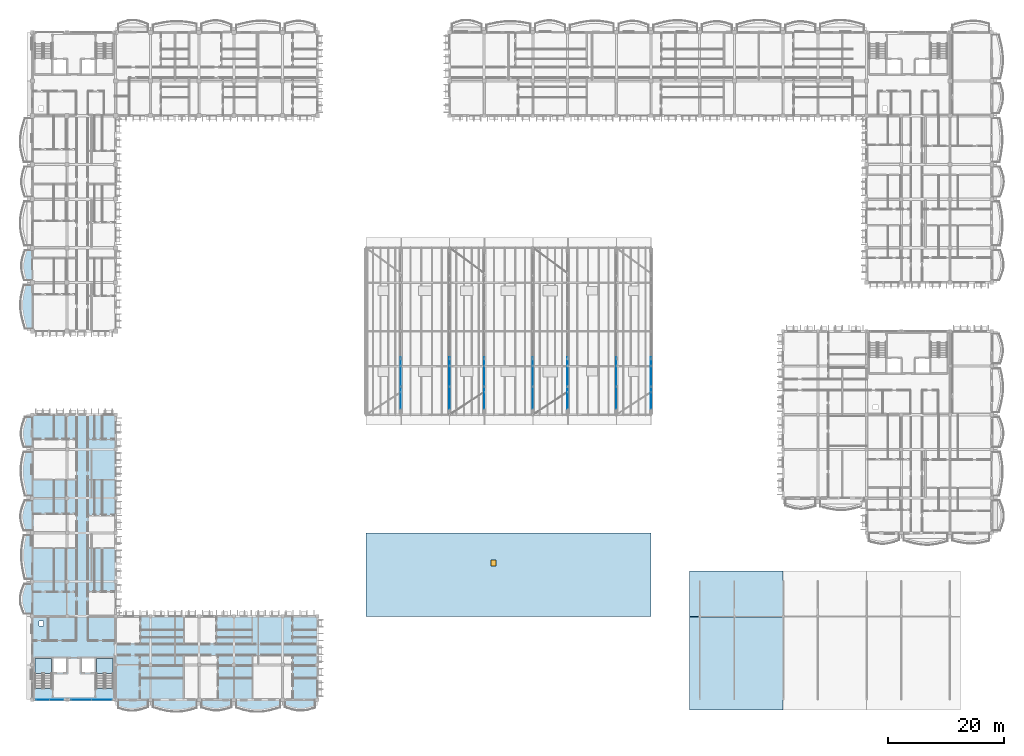
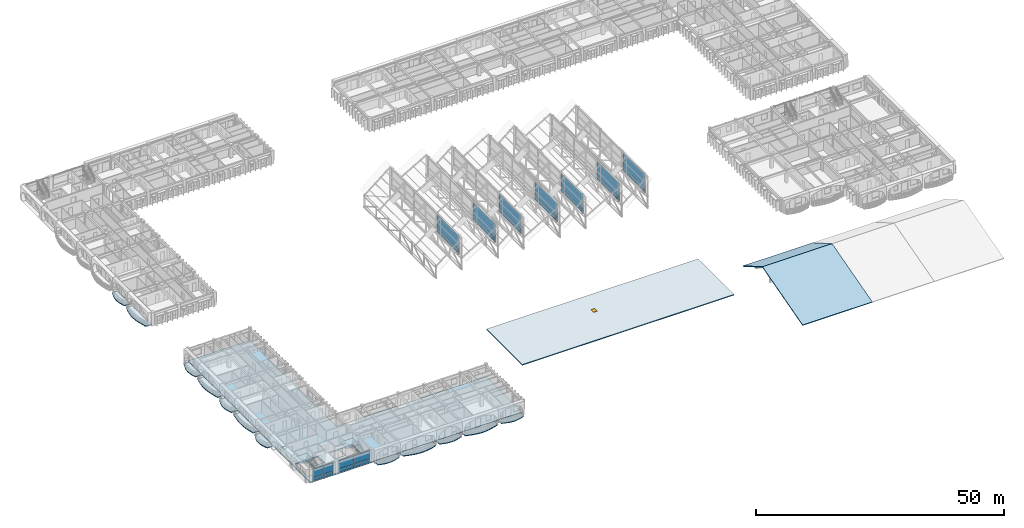
# One storey, part 32 of 101: 22 plates, 18 slabs, 1 door, 1 opening, 11 elements without a shape of their own.
"""IFC4 building model written with IfcOpenShell, lengths in metres."""

from ifc_helpers import new_model, si_unit, direction, frame, origin, origin_2d, place, context, subcontext, project, spatial, polyline, rectangle, outline, extrude, material, layer, layer_set, type_object, element, fill, aggregate, save


model = new_model("IFC4")

# Units and contexts
model_context = context("Model", 3, precision=1e-05, world=origin(), true_north=direction((0.0, 1.0)))
body_context = subcontext(model_context, "Body", "Model", "MODEL_VIEW")
ifc_project = project(units=[si_unit("LENGTHUNIT", "METRE"), si_unit("AREAUNIT", "SQUARE_METRE"), si_unit("VOLUMEUNIT", "CUBIC_METRE"), si_unit("PLANEANGLEUNIT", "RADIAN"), si_unit("MASSUNIT", "GRAM", prefix="KILO"), si_unit("THERMODYNAMICTEMPERATUREUNIT", "KELVIN")], contexts=[model_context])

# Site, building, storey
site_placement = place(None, origin())
site = spatial("IfcSite", under=ifc_project, at=site_placement, CompositionType="ELEMENT")
building_placement = place(site_placement, origin())
building = spatial("IfcBuilding", under=site, at=building_placement, Name="Thalorik Housing Commons", CompositionType="ELEMENT")
storey_placement = place(building_placement, frame((0.0, 0.0, 8.10009765625)))
storey = spatial("IfcBuildingStorey", under=building, at=storey_placement, Name="L02", CompositionType="ELEMENT", Elevation=8.10009765625)

# Curtain wall, plates
ifc_material_1 = material(Name="Anodised aluminium and solar-control low-E glass", Category="aluminium")
curtain_wall_type_1 = type_object("IfcCurtainWallType", Name="ARC-CW-CORE", PredefinedType="USERDEFINED", material=ifc_material_1)
curtain_wall_1_placement = place(storey_placement, origin())
curtain_wall_1 = element("IfcCurtainWall", 1, at=curtain_wall_1_placement, inside=storey, type_object=curtain_wall_type_1, Name="L02 Curtain Wall CW-CORE-L02-C-136", ObjectType="CURTAIN WALL", PredefinedType="USERDEFINED")
ifc_material_2 = material(Name="Cobalt blue enamelled aluminium spandrel panel", Category="aluminium")
ifc_layer_1 = layer(ifc_material_2, 0.0458984375, Name="Cobalt blue enamelled aluminium spandrel panel", Category="aluminium")
ifc_layer_set_1 = layer_set([ifc_layer_1], Name="Cobalt blue enamelled aluminium spandrel panel")
plate_type_1 = type_object("IfcPlateType", Name="ARC-CP-BLU-46", PredefinedType="CURTAIN_PANEL", material=ifc_layer_set_1)
plate_1_placement = place(storey_placement, frame((16.824951171875, 8.39990234375, 0.080078125), z_axis=(0.0, 0.0, 1.0), x_axis=(1.0, 0.0, 0.0)))
plate_1 = element("IfcPlate", 2, at=plate_1_placement, type_object=plate_type_1, Name="CW-CORE-L02-C-136 Spandrel Panel 1", PredefinedType="CURTAIN_PANEL", context=body_context, shape_type="SweptSolid", body=[
    extrude(rectangle(XDim=3.489990234375, YDim=0.0458984375, at=origin_2d()), origin(), (0.0, 0.0, 1.0), 0.760009765625),
])
plate_2_placement = place(storey_placement, frame((20.375, 8.39990234375, 0.080078125), z_axis=(0.0, 0.0, 1.0), x_axis=(1.0, 0.0, 0.0)))
plate_2 = element("IfcPlate", 3, at=plate_2_placement, type_object=plate_type_1, Name="CW-CORE-L02-C-136 Spandrel Panel 2", PredefinedType="CURTAIN_PANEL", context=body_context, shape_type="SweptSolid", body=[
    extrude(rectangle(XDim=3.489990234375, YDim=0.0458984375, at=origin_2d()), origin(), (0.0, 0.0, 1.0), 0.760009765625),
])

# Curtain wall, plate
curtain_wall_type_2 = type_object("IfcCurtainWallType", Name="ARC-CW-CLER", PredefinedType="USERDEFINED", material=ifc_material_1)
curtain_wall_2_placement = place(storey_placement, origin())
curtain_wall_2 = element("IfcCurtainWall", 4, at=curtain_wall_2_placement, inside=storey, type_object=curtain_wall_type_2, Name="L02 Curtain Wall CW-SAW-CLER-01", ObjectType="CURTAIN WALL", PredefinedType="USERDEFINED")
plate_3_placement = place(storey_placement, frame((72.0, 63.066650390625, 3.3798828125), z_axis=(0.0, 0.0, 1.0), x_axis=(0.0, 1.0, 0.0)))
plate_3 = element("IfcPlate", 5, at=plate_3_placement, type_object=plate_type_1, Name="CW-SAW-CLER-01 Spandrel Panel 1", PredefinedType="CURTAIN_PANEL", context=body_context, shape_type="SweptSolid", body=[
    extrude(rectangle(XDim=8.873291015625, YDim=0.0458984375, at=origin_2d()), origin(), (0.0, 0.0, 1.0), 0.760009765625),
])

curtain_wall_3_placement = place(storey_placement, origin())
curtain_wall_3 = element("IfcCurtainWall", 6, at=curtain_wall_3_placement, inside=storey, type_object=curtain_wall_type_2, Name="L02 Curtain Wall CW-SAW-CLER-04", ObjectType="CURTAIN WALL", PredefinedType="USERDEFINED")
plate_4_placement = place(storey_placement, frame((94.800048828125, 63.066650390625, 3.3798828125), z_axis=(0.0, 0.0, 1.0), x_axis=(0.0, 1.0, 0.0)))
plate_4 = element("IfcPlate", 7, at=plate_4_placement, type_object=plate_type_1, Name="CW-SAW-CLER-04 Spandrel Panel 1", PredefinedType="CURTAIN_PANEL", context=body_context, shape_type="SweptSolid", body=[
    extrude(rectangle(XDim=8.873291015625, YDim=0.0458984375, at=origin_2d()), origin(), (0.0, 0.0, 1.0), 0.760009765625),
])

curtain_wall_4_placement = place(storey_placement, origin())
curtain_wall_4 = element("IfcCurtainWall", 8, at=curtain_wall_4_placement, inside=storey, type_object=curtain_wall_type_2, Name="L02 Curtain Wall CW-SAW-CLER-07", ObjectType="CURTAIN WALL", PredefinedType="USERDEFINED")
plate_5_placement = place(storey_placement, frame((115.199951171875, 63.066650390625, 3.3798828125), z_axis=(0.0, 0.0, 1.0), x_axis=(0.0, 1.0, 0.0)))
plate_5 = element("IfcPlate", 9, at=plate_5_placement, type_object=plate_type_1, Name="CW-SAW-CLER-07 Spandrel Panel 1", PredefinedType="CURTAIN_PANEL", context=body_context, shape_type="SweptSolid", body=[
    extrude(rectangle(XDim=8.873291015625, YDim=0.0458984375, at=origin_2d()), origin(), (0.0, 0.0, 1.0), 0.760009765625),
])

# Curtain wall, plates
curtain_wall_5_placement = place(storey_placement, origin())
curtain_wall_5 = element("IfcCurtainWall", 10, at=curtain_wall_5_placement, inside=storey, type_object=curtain_wall_type_1, Name="L02 Curtain Wall CW-CORE-L02-C-135", ObjectType="CURTAIN WALL", PredefinedType="USERDEFINED")
ifc_material_3 = material(Name="Double solar-control low-E glass", Category="glass")
ifc_layer_2 = layer(ifc_material_3, 0.028076171875, Name="Double solar-control low-E glass", Category="glass")
ifc_layer_set_2 = layer_set([ifc_layer_2], Name="Double solar-control low-E glass")
plate_type_2 = type_object("IfcPlateType", Name="ARC-CP-GLZ-28", PredefinedType="CURTAIN_PANEL", material=ifc_layer_set_2)
plate_6_placement = place(storey_placement, frame((10.22509765625, 8.39990234375, 0.919921875), z_axis=(0.0, 0.0, 1.0), x_axis=(1.0, 0.0, 0.0)))
plate_6 = element("IfcPlate", 11, at=plate_6_placement, type_object=plate_type_2, Name="CW-CORE-L02-C-135 Vision Panel 1", PredefinedType="CURTAIN_PANEL", context=body_context, shape_type="SweptSolid", body=[
    extrude(rectangle(XDim=2.2900390625, YDim=0.028076171875, at=origin_2d()), origin(), (0.0, 0.0, 1.0), 2.0400390625),
])
plate_7_placement = place(storey_placement, frame((12.574951171875, 8.39990234375, 0.919921875), z_axis=(0.0, 0.0, 1.0), x_axis=(1.0, 0.0, 0.0)))
plate_7 = element("IfcPlate", 12, at=plate_7_placement, type_object=plate_type_2, Name="CW-CORE-L02-C-135 Vision Panel 2", PredefinedType="CURTAIN_PANEL", context=body_context, shape_type="SweptSolid", body=[
    extrude(rectangle(XDim=2.2900390625, YDim=0.028076171875, at=origin_2d()), origin(), (0.0, 0.0, 1.0), 2.0400390625),
])

# Plate
plate_8_placement = place(storey_placement, frame((16.824951171875, 8.39990234375, 0.919921875), z_axis=(0.0, 0.0, 1.0), x_axis=(1.0, 0.0, 0.0)))
plate_8 = element("IfcPlate", 13, at=plate_8_placement, type_object=plate_type_2, Name="CW-CORE-L02-C-136 Vision Panel 1", PredefinedType="CURTAIN_PANEL", context=body_context, shape_type="SweptSolid", body=[
    extrude(rectangle(XDim=3.489990234375, YDim=0.028076171875, at=origin_2d()), origin(), (0.0, 0.0, 1.0), 2.0400390625),
])

plate_9_placement = place(storey_placement, frame((20.375, 8.39990234375, 0.919921875), z_axis=(0.0, 0.0, 1.0), x_axis=(1.0, 0.0, 0.0)))
plate_9 = element("IfcPlate", 14, at=plate_9_placement, type_object=plate_type_2, Name="CW-CORE-L02-C-136 Vision Panel 2", PredefinedType="CURTAIN_PANEL", context=body_context, shape_type="SweptSolid", body=[
    extrude(rectangle(XDim=3.489990234375, YDim=0.028076171875, at=origin_2d()), origin(), (0.0, 0.0, 1.0), 2.0400390625),
])

aggregate(curtain_wall_1, [plate_1, plate_8, plate_2, plate_9])

plate_10_placement = place(storey_placement, frame((72.0, 63.066650390625, 4.219970703125), z_axis=(0.0, 0.0, 1.0), x_axis=(0.0, 1.0, 0.0)))
plate_10 = element("IfcPlate", 15, at=plate_10_placement, type_object=plate_type_2, Name="CW-SAW-CLER-01 Vision Panel 1", PredefinedType="CURTAIN_PANEL", context=body_context, shape_type="SweptSolid", body=[
    extrude(rectangle(XDim=8.873291015625, YDim=0.028076171875, at=origin_2d()), origin(), (0.0, 0.0, 1.0), 3.64990234375),
])

aggregate(curtain_wall_2, [plate_3, plate_10])

# Curtain wall, plate
curtain_wall_6_placement = place(storey_placement, origin())
curtain_wall_6 = element("IfcCurtainWall", 16, at=curtain_wall_6_placement, inside=storey, type_object=curtain_wall_type_2, Name="L02 Curtain Wall CW-SAW-CLER-02", ObjectType="CURTAIN WALL", PredefinedType="USERDEFINED")
plate_11_placement = place(storey_placement, frame((80.39990234375, 63.066650390625, 4.219970703125), z_axis=(0.0, 0.0, 1.0), x_axis=(0.0, 1.0, 0.0)))
plate_11 = element("IfcPlate", 17, at=plate_11_placement, type_object=plate_type_2, Name="CW-SAW-CLER-02 Vision Panel 1", PredefinedType="CURTAIN_PANEL", context=body_context, shape_type="SweptSolid", body=[
    extrude(rectangle(XDim=8.873291015625, YDim=0.028076171875, at=origin_2d()), origin(), (0.0, 0.0, 1.0), 3.64990234375),
])

curtain_wall_7_placement = place(storey_placement, origin())
curtain_wall_7 = element("IfcCurtainWall", 18, at=curtain_wall_7_placement, inside=storey, type_object=curtain_wall_type_2, Name="L02 Curtain Wall CW-SAW-CLER-03", ObjectType="CURTAIN WALL", PredefinedType="USERDEFINED")
plate_12_placement = place(storey_placement, frame((86.39990234375, 63.066650390625, 4.219970703125), z_axis=(0.0, 0.0, 1.0), x_axis=(0.0, 1.0, 0.0)))
plate_12 = element("IfcPlate", 19, at=plate_12_placement, type_object=plate_type_2, Name="CW-SAW-CLER-03 Vision Panel 1", PredefinedType="CURTAIN_PANEL", context=body_context, shape_type="SweptSolid", body=[
    extrude(rectangle(XDim=8.873291015625, YDim=0.028076171875, at=origin_2d()), origin(), (0.0, 0.0, 1.0), 3.64990234375),
])

# Plate
plate_13_placement = place(storey_placement, frame((94.800048828125, 63.066650390625, 4.219970703125), z_axis=(0.0, 0.0, 1.0), x_axis=(0.0, 1.0, 0.0)))
plate_13 = element("IfcPlate", 20, at=plate_13_placement, type_object=plate_type_2, Name="CW-SAW-CLER-04 Vision Panel 1", PredefinedType="CURTAIN_PANEL", context=body_context, shape_type="SweptSolid", body=[
    extrude(rectangle(XDim=8.873291015625, YDim=0.028076171875, at=origin_2d()), origin(), (0.0, 0.0, 1.0), 3.64990234375),
])

aggregate(curtain_wall_3, [plate_4, plate_13])

# Curtain wall, plate
curtain_wall_8_placement = place(storey_placement, origin())
curtain_wall_8 = element("IfcCurtainWall", 21, at=curtain_wall_8_placement, inside=storey, type_object=curtain_wall_type_2, Name="L02 Curtain Wall CW-SAW-CLER-05", ObjectType="CURTAIN WALL", PredefinedType="USERDEFINED")
plate_14_placement = place(storey_placement, frame((100.800048828125, 63.066650390625, 4.219970703125), z_axis=(0.0, 0.0, 1.0), x_axis=(0.0, 1.0, 0.0)))
plate_14 = element("IfcPlate", 22, at=plate_14_placement, type_object=plate_type_2, Name="CW-SAW-CLER-05 Vision Panel 1", PredefinedType="CURTAIN_PANEL", context=body_context, shape_type="SweptSolid", body=[
    extrude(rectangle(XDim=8.873291015625, YDim=0.028076171875, at=origin_2d()), origin(), (0.0, 0.0, 1.0), 3.64990234375),
])

curtain_wall_9_placement = place(storey_placement, origin())
curtain_wall_9 = element("IfcCurtainWall", 23, at=curtain_wall_9_placement, inside=storey, type_object=curtain_wall_type_2, Name="L02 Curtain Wall CW-SAW-CLER-06", ObjectType="CURTAIN WALL", PredefinedType="USERDEFINED")
plate_15_placement = place(storey_placement, frame((109.199951171875, 63.066650390625, 4.219970703125), z_axis=(0.0, 0.0, 1.0), x_axis=(0.0, 1.0, 0.0)))
plate_15 = element("IfcPlate", 24, at=plate_15_placement, type_object=plate_type_2, Name="CW-SAW-CLER-06 Vision Panel 1", PredefinedType="CURTAIN_PANEL", context=body_context, shape_type="SweptSolid", body=[
    extrude(rectangle(XDim=8.873291015625, YDim=0.028076171875, at=origin_2d()), origin(), (0.0, 0.0, 1.0), 3.64990234375),
])

# Plate
plate_16_placement = place(storey_placement, frame((115.199951171875, 63.066650390625, 4.219970703125), z_axis=(0.0, 0.0, 1.0), x_axis=(0.0, 1.0, 0.0)))
plate_16 = element("IfcPlate", 25, at=plate_16_placement, type_object=plate_type_2, Name="CW-SAW-CLER-07 Vision Panel 1", PredefinedType="CURTAIN_PANEL", context=body_context, shape_type="SweptSolid", body=[
    extrude(rectangle(XDim=8.873291015625, YDim=0.028076171875, at=origin_2d()), origin(), (0.0, 0.0, 1.0), 3.64990234375),
])

aggregate(curtain_wall_4, [plate_5, plate_16])

ifc_material_4 = material(Name="Oxide red enamelled aluminium spandrel panel", Category="aluminium")
ifc_layer_3 = layer(ifc_material_4, 0.0419921875, Name="Oxide red enamelled aluminium spandrel panel", Category="aluminium")
ifc_layer_set_3 = layer_set([ifc_layer_3], Name="Oxide red enamelled aluminium spandrel panel")
plate_type_3 = type_object("IfcPlateType", Name="ARC-CP-RED-42", PredefinedType="CURTAIN_PANEL", material=ifc_layer_set_3)
plate_17_placement = place(storey_placement, frame((10.22509765625, 8.39990234375, 0.080078125), z_axis=(0.0, 0.0, 1.0), x_axis=(1.0, 0.0, 0.0)))
plate_17 = element("IfcPlate", 26, at=plate_17_placement, type_object=plate_type_3, Name="CW-CORE-L02-C-135 Spandrel Panel 1", PredefinedType="CURTAIN_PANEL", context=body_context, shape_type="SweptSolid", body=[
    extrude(rectangle(XDim=2.2900390625, YDim=0.0419921875, at=origin_2d()), origin(), (0.0, 0.0, 1.0), 0.760009765625),
])

plate_18_placement = place(storey_placement, frame((12.574951171875, 8.39990234375, 0.080078125), z_axis=(0.0, 0.0, 1.0), x_axis=(1.0, 0.0, 0.0)))
plate_18 = element("IfcPlate", 27, at=plate_18_placement, type_object=plate_type_3, Name="CW-CORE-L02-C-135 Spandrel Panel 2", PredefinedType="CURTAIN_PANEL", context=body_context, shape_type="SweptSolid", body=[
    extrude(rectangle(XDim=2.2900390625, YDim=0.0419921875, at=origin_2d()), origin(), (0.0, 0.0, 1.0), 0.760009765625),
])

aggregate(curtain_wall_5, [plate_17, plate_6, plate_18, plate_7])

plate_19_placement = place(storey_placement, frame((86.39990234375, 63.066650390625, 3.3798828125), z_axis=(0.0, 0.0, 1.0), x_axis=(0.0, 1.0, 0.0)))
plate_19 = element("IfcPlate", 28, at=plate_19_placement, type_object=plate_type_3, Name="CW-SAW-CLER-03 Spandrel Panel 1", PredefinedType="CURTAIN_PANEL", context=body_context, shape_type="SweptSolid", body=[
    extrude(rectangle(XDim=8.873291015625, YDim=0.0419921875, at=origin_2d()), origin(), (0.0, 0.0, 1.0), 0.760009765625),
])

aggregate(curtain_wall_7, [plate_19, plate_12])

plate_20_placement = place(storey_placement, frame((109.199951171875, 63.066650390625, 3.3798828125), z_axis=(0.0, 0.0, 1.0), x_axis=(0.0, 1.0, 0.0)))
plate_20 = element("IfcPlate", 29, at=plate_20_placement, type_object=plate_type_3, Name="CW-SAW-CLER-06 Spandrel Panel 1", PredefinedType="CURTAIN_PANEL", context=body_context, shape_type="SweptSolid", body=[
    extrude(rectangle(XDim=8.873291015625, YDim=0.0419921875, at=origin_2d()), origin(), (0.0, 0.0, 1.0), 0.760009765625),
])

aggregate(curtain_wall_9, [plate_20, plate_15])

ifc_material_5 = material(Name="Mineral ochre yellow aluminium spandrel panel", Category="aluminium")
ifc_layer_4 = layer(ifc_material_5, 0.050048828125, Name="Mineral ochre yellow aluminium spandrel panel", Category="aluminium")
ifc_layer_set_4 = layer_set([ifc_layer_4], Name="Mineral ochre yellow aluminium spandrel panel")
plate_type_4 = type_object("IfcPlateType", Name="ARC-CP-YEL-50", PredefinedType="CURTAIN_PANEL", material=ifc_layer_set_4)
plate_21_placement = place(storey_placement, frame((80.39990234375, 63.066650390625, 3.3798828125), z_axis=(0.0, 0.0, 1.0), x_axis=(0.0, 1.0, 0.0)))
plate_21 = element("IfcPlate", 30, at=plate_21_placement, type_object=plate_type_4, Name="CW-SAW-CLER-02 Spandrel Panel 1", PredefinedType="CURTAIN_PANEL", context=body_context, shape_type="SweptSolid", body=[
    extrude(rectangle(XDim=8.873291015625, YDim=0.050048828125, at=origin_2d()), origin(), (0.0, 0.0, 1.0), 0.760009765625),
])

aggregate(curtain_wall_6, [plate_21, plate_11])

plate_22_placement = place(storey_placement, frame((100.800048828125, 63.066650390625, 3.3798828125), z_axis=(0.0, 0.0, 1.0), x_axis=(0.0, 1.0, 0.0)))
plate_22 = element("IfcPlate", 31, at=plate_22_placement, type_object=plate_type_4, Name="CW-SAW-CLER-05 Spandrel Panel 1", PredefinedType="CURTAIN_PANEL", context=body_context, shape_type="SweptSolid", body=[
    extrude(rectangle(XDim=8.873291015625, YDim=0.050048828125, at=origin_2d()), origin(), (0.0, 0.0, 1.0), 0.760009765625),
])

aggregate(curtain_wall_8, [plate_22, plate_14])

# Stair, slab
ifc_material_6 = material(Name="Precast concrete C40/50", Category="concrete")
stair_type = type_object("IfcStairType", Name="ARC-STR-1350-R20", PredefinedType="HALF_TURN_STAIR", material=ifc_material_6)
stair_1_placement = place(storey_placement, origin())
stair_1 = element("IfcStair", 32, at=stair_1_placement, inside=storey, type_object=stair_type, Name="L02 Block C Smoke-Proof Stair 1", PredefinedType="HALF_TURN_STAIR")
ifc_layer_5 = layer(ifc_material_6, 0.199951171875, Name="Precast concrete C40/50", Category="concrete")
ifc_layer_set_5 = layer_set([ifc_layer_5], Name="Precast concrete C40/50")
slab_type_1 = type_object("IfcSlabType", Name="ARC-SLB-STLND-200", PredefinedType="LANDING", material=ifc_layer_set_5)
slab_1_placement = place(storey_placement, frame((0.0, 0.0, 1.449951171875)))
slab_1 = element("IfcSlab", 33, at=slab_1_placement, type_object=slab_type_1, Name="ST-C1 landing 1", PredefinedType="LANDING", context=body_context, shape_type="SweptSolid", body=[
    extrude(outline(polyline([(11.75, 12.909912109375), (11.75, 15.550048828125), (8.85009765625, 15.550048828125), (8.85009765625, 12.909912109375), (11.75, 12.909912109375)])), origin(), (0.0, 0.0, 1.0), 0.199951171875),
])
aggregate(stair_1, [slab_1])

stair_2_placement = place(storey_placement, origin())
stair_2 = element("IfcStair", 34, at=stair_2_placement, inside=storey, type_object=stair_type, Name="L02 Block C Smoke-Proof Stair 2", PredefinedType="HALF_TURN_STAIR")
slab_2_placement = place(storey_placement, frame((0.0, 0.0, 1.449951171875)))
slab_2 = element("IfcSlab", 35, at=slab_2_placement, type_object=slab_type_1, Name="ST-C2 landing 1", PredefinedType="LANDING", context=body_context, shape_type="SweptSolid", body=[
    extrude(outline(polyline([(22.35009765625, 12.909912109375), (22.35009765625, 15.550048828125), (19.449951171875, 15.550048828125), (19.449951171875, 12.909912109375), (22.35009765625, 12.909912109375)])), origin(), (0.0, 0.0, 1.0), 0.199951171875),
])
aggregate(stair_2, [slab_2])

# Slabs
ifc_layer_6 = layer(ifc_material_6, 0.199951171875, Name="Precast concrete C40/50", Category="concrete")
ifc_layer_set_6 = layer_set([ifc_layer_6], Name="Precast concrete C40/50")
slab_type_2 = type_object("IfcSlabType", Name="STR-SLB-BALC-200", PredefinedType="FLOOR", material=ifc_layer_set_6)
slab_3_placement = place(storey_placement, frame((0.0, 0.0, -0.2001953125)))
element("IfcSlab", 36, at=slab_3_placement, inside=storey, type_object=slab_type_2, Name="L02 Block A Cushion Balcony 7", PredefinedType="FLOOR", context=body_context, shape_type="SweptSolid", body=[
    extrude(outline(polyline([(8.39990234375, 80.820068359375), (8.39990234375, 85.97998046875), (7.129150390625, 85.97998046875), (6.9814453125, 85.550048828125), (6.841064453125, 85.1201171875), (6.71728515625, 84.68994140625), (6.61865234375, 84.260009765625), (6.55224609375, 83.830078125), (6.522216796875, 83.39990234375), (6.530029296875, 82.969970703125), (6.5751953125, 82.5400390625), (6.65380859375, 82.110107421875), (6.759765625, 81.679931640625), (6.885498046875, 81.25), (7.021728515625, 80.820068359375), (8.39990234375, 80.820068359375)])), origin(), (0.0, 0.0, 1.0), 0.2001953125),
])
slab_4_placement = place(storey_placement, frame((0.0, 0.0, -0.2001953125)))
element("IfcSlab", 37, at=slab_4_placement, inside=storey, type_object=slab_type_2, Name="L02 Block C Cushion Balcony 251", PredefinedType="FLOOR", context=body_context, shape_type="SweptSolid", body=[
    extrude(outline(polyline([(8.39990234375, 23.219970703125), (8.39990234375, 28.3798828125), (7.00927734375, 28.3798828125), (6.82958984375, 27.949951171875), (6.661865234375, 27.52001953125), (6.517578125, 27.090087890625), (6.4052734375, 26.659912109375), (6.332763671875, 26.22998046875), (6.30419921875, 25.800048828125), (6.3212890625, 25.3701171875), (6.3828125, 24.93994140625), (6.484619140625, 24.510009765625), (6.619873046875, 24.080078125), (6.77978515625, 23.64990234375), (6.95361328125, 23.219970703125), (8.39990234375, 23.219970703125)])), origin(), (0.0, 0.0, 1.0), 0.2001953125),
])
slab_5_placement = place(storey_placement, frame((0.0, 0.0, -0.2001953125)))
element("IfcSlab", 38, at=slab_5_placement, inside=storey, type_object=slab_type_2, Name="L02 Block C Cushion Balcony 253", PredefinedType="FLOOR", context=body_context, shape_type="SweptSolid", body=[
    extrude(outline(polyline([(8.39990234375, 37.6201171875), (8.39990234375, 42.780029296875), (7.098388671875, 42.780029296875), (6.92041015625, 42.35009765625), (6.751708984375, 41.919921875), (6.602783203125, 41.489990234375), (6.4833984375, 41.06005859375), (6.400634765625, 40.6298828125), (6.359619140625, 40.199951171875), (6.3623046875, 39.77001953125), (6.407958984375, 39.340087890625), (6.492919921875, 38.909912109375), (6.611083984375, 38.47998046875), (6.75439453125, 38.050048828125), (6.912353515625, 37.6201171875), (8.39990234375, 37.6201171875)])), origin(), (0.0, 0.0, 1.0), 0.2001953125),
])
slab_6_placement = place(storey_placement, frame((0.0, 0.0, -0.2001953125)))
element("IfcSlab", 39, at=slab_6_placement, inside=storey, type_object=slab_type_2, Name="L02 Block C Cushion Balcony 255", PredefinedType="FLOOR", context=body_context, shape_type="SweptSolid", body=[
    extrude(outline(polyline([(8.39990234375, 52.02001953125), (8.39990234375, 57.179931640625), (7.14794921875, 57.179931640625), (6.9833984375, 56.75), (6.825927734375, 56.320068359375), (6.685546875, 55.889892578125), (6.57177734375, 55.4599609375), (6.49169921875, 55.030029296875), (6.44970703125, 54.60009765625), (6.44873046875, 54.169921875), (6.487548828125, 53.739990234375), (6.56298828125, 53.31005859375), (6.669189453125, 52.8798828125), (6.798095703125, 52.449951171875), (6.9404296875, 52.02001953125), (8.39990234375, 52.02001953125)])), origin(), (0.0, 0.0, 1.0), 0.2001953125),
])
slab_7_placement = place(storey_placement, frame((0.0, 0.0, -0.2001953125)))
element("IfcSlab", 40, at=slab_7_placement, inside=storey, type_object=slab_type_2, Name="L02 Block C Cushion Balcony 256", PredefinedType="FLOOR", context=body_context, shape_type="SweptSolid", body=[
    extrude(outline(polyline([(23.219970703125, 6.97705078125), (23.64990234375, 6.83935546875), (24.080078125, 6.713623046875), (24.510009765625, 6.609130859375), (24.93994140625, 6.53369140625), (25.3701171875, 6.493408203125), (25.800048828125, 6.491455078125), (26.22998046875, 6.528564453125), (26.659912109375, 6.60302734375), (27.090087890625, 6.7099609375), (27.52001953125, 6.84228515625), (27.949951171875, 6.99169921875), (28.3798828125, 7.1474609375), (28.3798828125, 8.39990234375), (23.219970703125, 8.39990234375), (23.219970703125, 6.97705078125)])), origin(), (0.0, 0.0, 1.0), 0.2001953125),
])
slab_8_placement = place(storey_placement, frame((0.0, 0.0, -0.2001953125)))
element("IfcSlab", 41, at=slab_8_placement, inside=storey, type_object=slab_type_2, Name="L02 Block C Cushion Balcony 258", PredefinedType="FLOOR", context=body_context, shape_type="SweptSolid", body=[
    extrude(outline(polyline([(37.6201171875, 7.06787109375), (38.050048828125, 6.9296875), (38.47998046875, 6.80078125), (38.909912109375, 6.689697265625), (39.340087890625, 6.60498046875), (39.77001953125, 6.552978515625), (40.199951171875, 6.537109375), (40.6298828125, 6.55859375), (41.06005859375, 6.616455078125), (41.489990234375, 6.706298828125), (41.919921875, 6.822021484375), (42.35009765625, 6.954833984375), (42.780029296875, 7.095703125), (42.780029296875, 8.39990234375), (37.6201171875, 8.39990234375), (37.6201171875, 7.06787109375)])), origin(), (0.0, 0.0, 1.0), 0.2001953125),
])
slab_9_placement = place(storey_placement, frame((0.0, 0.0, -0.2001953125)))
element("IfcSlab", 42, at=slab_9_placement, inside=storey, type_object=slab_type_2, Name="L02 Block C Cushion Balcony 260", PredefinedType="FLOOR", context=body_context, shape_type="SweptSolid", body=[
    extrude(outline(polyline([(52.02001953125, 7.136962890625), (52.449951171875, 6.98681640625), (52.8798828125, 6.843505859375), (53.31005859375, 6.716796875), (53.739990234375, 6.615478515625), (54.169921875, 6.546142578125), (54.60009765625, 6.513427734375), (55.030029296875, 6.51904296875), (55.4599609375, 6.562255859375), (55.889892578125, 6.639404296875), (56.320068359375, 6.74462890625), (56.75, 6.8701171875), (57.179931640625, 7.00634765625), (57.179931640625, 8.39990234375), (52.02001953125, 8.39990234375), (52.02001953125, 7.136962890625)])), origin(), (0.0, 0.0, 1.0), 0.2001953125),
])
ifc_layer_7 = layer(ifc_material_6, 0.219970703125, Name="Precast concrete C40/50", Category="concrete")
ifc_layer_set_7 = layer_set([ifc_layer_7], Name="Precast concrete C40/50")
slab_type_3 = type_object("IfcSlabType", Name="STR-SLB-BALC-220", PredefinedType="FLOOR", material=ifc_layer_set_7)
slab_10_placement = place(storey_placement, frame((0.0, 0.0, -0.22021484375)))
element("IfcSlab", 43, at=slab_10_placement, inside=storey, type_object=slab_type_3, Name="L02 Block A Cushion Balcony 6", PredefinedType="FLOOR", context=body_context, shape_type="SweptSolid", body=[
    extrude(outline(polyline([(8.39990234375, 72.419921875), (8.39990234375, 79.97998046875), (6.942626953125, 79.97998046875), (6.765869140625, 79.35009765625), (6.60791015625, 78.719970703125), (6.479736328125, 78.090087890625), (6.389892578125, 77.4599609375), (6.344482421875, 76.830078125), (6.3466796875, 76.199951171875), (6.395751953125, 75.570068359375), (6.488525390625, 74.93994140625), (6.618408203125, 74.31005859375), (6.776123046875, 73.679931640625), (6.951171875, 73.050048828125), (7.130859375, 72.419921875), (8.39990234375, 72.419921875)])), origin(), (0.0, 0.0, 1.0), 0.22021484375),
])
slab_11_placement = place(storey_placement, frame((0.0, 0.0, -0.22021484375)))
element("IfcSlab", 44, at=slab_11_placement, inside=storey, type_object=slab_type_3, Name="L02 Block C Cushion Balcony 252", PredefinedType="FLOOR", context=body_context, shape_type="SweptSolid", body=[
    extrude(outline(polyline([(8.39990234375, 29.219970703125), (8.39990234375, 36.780029296875), (6.951416015625, 36.780029296875), (6.820068359375, 36.14990234375), (6.703369140625, 35.52001953125), (6.609130859375, 34.889892578125), (6.543701171875, 34.260009765625), (6.510986328125, 33.6298828125), (6.513427734375, 33.0), (6.55029296875, 32.3701171875), (6.619384765625, 31.739990234375), (6.715576171875, 31.110107421875), (6.83251953125, 30.47998046875), (6.962158203125, 29.85009765625), (7.095703125, 29.219970703125), (8.39990234375, 29.219970703125)])), origin(), (0.0, 0.0, 1.0), 0.22021484375),
])
slab_12_placement = place(storey_placement, frame((0.0, 0.0, -0.22021484375)))
element("IfcSlab", 45, at=slab_12_placement, inside=storey, type_object=slab_type_3, Name="L02 Block C Cushion Balcony 254", PredefinedType="FLOOR", context=body_context, shape_type="SweptSolid", body=[
    extrude(outline(polyline([(8.39990234375, 43.6201171875), (8.39990234375, 51.179931640625), (6.912109375, 51.179931640625), (6.760009765625, 50.550048828125), (6.626953125, 49.919921875), (6.522216796875, 49.2900390625), (6.45263671875, 48.659912109375), (6.4228515625, 48.030029296875), (6.4345703125, 47.39990234375), (6.48681640625, 46.77001953125), (6.575927734375, 46.139892578125), (6.6953125, 45.510009765625), (6.837158203125, 44.8798828125), (6.9912109375, 44.25), (7.1474609375, 43.6201171875), (8.39990234375, 43.6201171875)])), origin(), (0.0, 0.0, 1.0), 0.22021484375),
])
slab_13_placement = place(storey_placement, frame((0.0, 0.0, -0.22021484375)))
element("IfcSlab", 46, at=slab_13_placement, inside=storey, type_object=slab_type_3, Name="L02 Block C Cushion Balcony 257", PredefinedType="FLOOR", context=body_context, shape_type="SweptSolid", body=[
    extrude(outline(polyline([(29.219970703125, 7.098388671875), (29.85009765625, 6.910888671875), (30.47998046875, 6.731201171875), (31.110107421875, 6.572021484375), (31.739990234375, 6.444091796875), (32.3701171875, 6.356689453125), (33.0, 6.31591796875), (33.6298828125, 6.324462890625), (34.260009765625, 6.382080078125), (34.889892578125, 6.484619140625), (35.52001953125, 6.625244140625), (36.14990234375, 6.794189453125), (36.780029296875, 6.979736328125), (36.780029296875, 8.39990234375), (29.219970703125, 8.39990234375), (29.219970703125, 7.098388671875)])), origin(), (0.0, 0.0, 1.0), 0.22021484375),
])
slab_14_placement = place(storey_placement, frame((0.0, 0.0, -0.22021484375)))
element("IfcSlab", 47, at=slab_14_placement, inside=storey, type_object=slab_type_3, Name="L02 Block C Cushion Balcony 259", PredefinedType="FLOOR", context=body_context, shape_type="SweptSolid", body=[
    extrude(outline(polyline([(43.6201171875, 7.00927734375), (44.25, 6.820068359375), (44.8798828125, 6.6455078125), (45.510009765625, 6.49755859375), (46.139892578125, 6.386962890625), (46.77001953125, 6.32080078125), (47.39990234375, 6.30419921875), (48.030029296875, 6.337646484375), (48.659912109375, 6.419189453125), (49.2900390625, 6.542724609375), (49.919921875, 6.7001953125), (50.550048828125, 6.88037109375), (51.179931640625, 7.07080078125), (51.179931640625, 8.39990234375), (43.6201171875, 8.39990234375), (43.6201171875, 7.00927734375)])), origin(), (0.0, 0.0, 1.0), 0.22021484375),
])
ifc_layer_8 = layer(ifc_material_6, 0.199951171875, Name="Precast concrete C40/50", Category="concrete")
ifc_layer_set_8 = layer_set([ifc_layer_8], Name="Precast concrete C40/50")
slab_type_4 = type_object("IfcSlabType", Name="STR-SLB-FOLD-200", PredefinedType="ROOF", material=ifc_layer_set_8)
slab_15_placement = place(storey_placement, frame((121.800048828125, 6.60009765625, 0.0), z_axis=(0.0, -0.267644612702, 0.963517701597), x_axis=(1.0, 0.0, 0.0)))
element("IfcSlab", 48, at=slab_15_placement, inside=storey, type_object=slab_type_4, Name="L02 Nursery Folded Precast South Roof Facet 1", PredefinedType="ROOF", context=body_context, shape_type="SweptSolid", body=[
    extrude(outline(polyline([(0.0, 0.0), (16.199951171875, 0.0), (16.199951171875, 16.813340476274615), (0.0, 16.813340476274615), (0.0, 0.0)])), origin(), (0.0, 0.0, -1.0), 0.199951171875),
])
slab_16_placement = place(storey_placement, frame((138.0, 30.60009765625, 0.0), z_axis=(0.0, 0.499720106428, 0.866186940118), x_axis=(-1.0, 0.0, 0.0)))
element("IfcSlab", 49, at=slab_16_placement, inside=storey, type_object=slab_type_4, Name="L02 Nursery Folded Precast North Roof Facet 1", PredefinedType="ROOF", context=body_context, shape_type="SweptSolid", body=[
    extrude(outline(polyline([(0.0, 0.0), (16.199951171875, 0.0), (16.199951171875, 9.005040906133306), (0.0, 9.005040906133306), (0.0, 0.0)])), origin(), (0.0, 0.0, -1.0), 0.199951171875),
])
ifc_material_7 = material(Name="Precast concrete C45/55", Category="concrete")
ifc_layer_9 = layer(ifc_material_7, 0.260009765625, Name="Precast concrete C45/55", Category="concrete")
ifc_layer_set_9 = layer_set([ifc_layer_9], Name="Precast concrete C45/55")
slab_type_5 = type_object("IfcSlabType", Name="STR-SLB-HC-260", PredefinedType="FLOOR", material=ifc_layer_set_9)
slab_17_placement = place(storey_placement, frame((0.0, 0.0, -0.260009765625)))
element("IfcSlab", 50, at=slab_17_placement, inside=storey, type_object=slab_type_5, Name="L02 Residential Block C Floor Slab", PredefinedType="FLOOR", context=body_context, shape_type="SweptSolid", body=[
    extrude(outline(polyline([(8.39990234375, 8.39990234375), (22.800048828125, 8.39990234375), (57.60009765625, 8.39990234375), (57.60009765625, 22.800048828125), (22.800048828125, 22.800048828125), (22.800048828125, 57.60009765625), (8.39990234375, 57.60009765625), (8.39990234375, 8.39990234375)]), holes=[polyline([(11.75, 10.35009765625), (8.85009765625, 10.35009765625), (8.85009765625, 15.550048828125), (11.75, 15.550048828125), (11.75, 10.35009765625)]), polyline([(19.449951171875, 10.35009765625), (19.449951171875, 15.550048828125), (22.35009765625, 15.550048828125), (22.35009765625, 10.35009765625), (19.449951171875, 10.35009765625)]), polyline([(14.39990234375, 15.550048828125), (14.39990234375, 13.0), (12.0, 13.0), (12.0, 15.550048828125), (14.39990234375, 15.550048828125)]), polyline([(19.199951171875, 13.0), (16.800048828125, 13.0), (16.800048828125, 15.550048828125), (19.199951171875, 15.550048828125), (19.199951171875, 13.0)]), polyline([(9.550048828125, 21.14990234375), (9.550048828125, 21.949951171875), (10.35009765625, 21.949951171875), (10.35009765625, 21.14990234375), (9.550048828125, 21.14990234375)])]), origin(), (0.0, 0.0, 1.0), 0.260009765625),
])

# Slab, opening, door
ifc_layer_10 = layer(ifc_material_6, 0.219970703125, Name="Precast concrete C40/50", Category="concrete")
ifc_layer_set_10 = layer_set([ifc_layer_10], Name="Precast concrete C40/50")
slab_type_6 = type_object("IfcSlabType", Name="STR-SLB-ROOF-220", PredefinedType="ROOF", material=ifc_layer_set_10)
slab_18_placement = place(storey_placement, frame((0.0, 0.0, -0.22021484375)))
slab_18 = element("IfcSlab", 51, at=slab_18_placement, inside=storey, type_object=slab_type_6, Name="L02 Street Shops Upper Roof Slab", PredefinedType="ROOF", context=body_context, shape_type="SweptSolid", body=[
    extrude(outline(polyline([(66.0, 22.800048828125), (115.199951171875, 22.800048828125), (115.199951171875, 37.199951171875), (66.0, 37.199951171875), (66.0, 22.800048828125)])), origin(), (0.0, 0.0, 1.0), 0.22021484375),
])
opening_placement = place(slab_18_placement, frame((88.0, 32.0, -0.010009765625)))
opening = element("IfcOpeningElement", 52, at=opening_placement, cuts=slab_18, Name="Opening RH-SH1", PredefinedType="OPENING", context=body_context, shape_type="SweptSolid", body=[
    extrude(rectangle(XDim=0.89990234375, YDim=1.10009765625, at=origin_2d()), origin(), (0.0, 0.0, 1.0), 0.290283203125),
])
ifc_material_8 = material(Name="Anodised aluminium and laminated safety glass", Category="aluminium")
door_type = type_object("IfcDoorType", Name="ARC-HT-ROOF-900", OperationType="NOTDEFINED", PredefinedType="TRAPDOOR", material=ifc_material_8)
door_placement = place(opening_placement, frame((0.0, 0.0, 0.230224609375)))
door = element("IfcDoor", 53, at=door_placement, inside=storey, type_object=door_type, Name="L02 Street Shops Maintenance Roof Hatch", OperationType="SINGLE_SWING_LEFT", OverallHeight=1.10009765625, OverallWidth=0.89990234375, PredefinedType="TRAPDOOR", context=body_context, shape_type="SweptSolid", body=[
    extrude(rectangle(XDim=0.89990234375, YDim=1.10009765625, at=origin_2d()), origin(), (0.0, 0.0, 1.0), 0.050048828125),
])
fill(opening, door)

save(model, "model.ifc")
